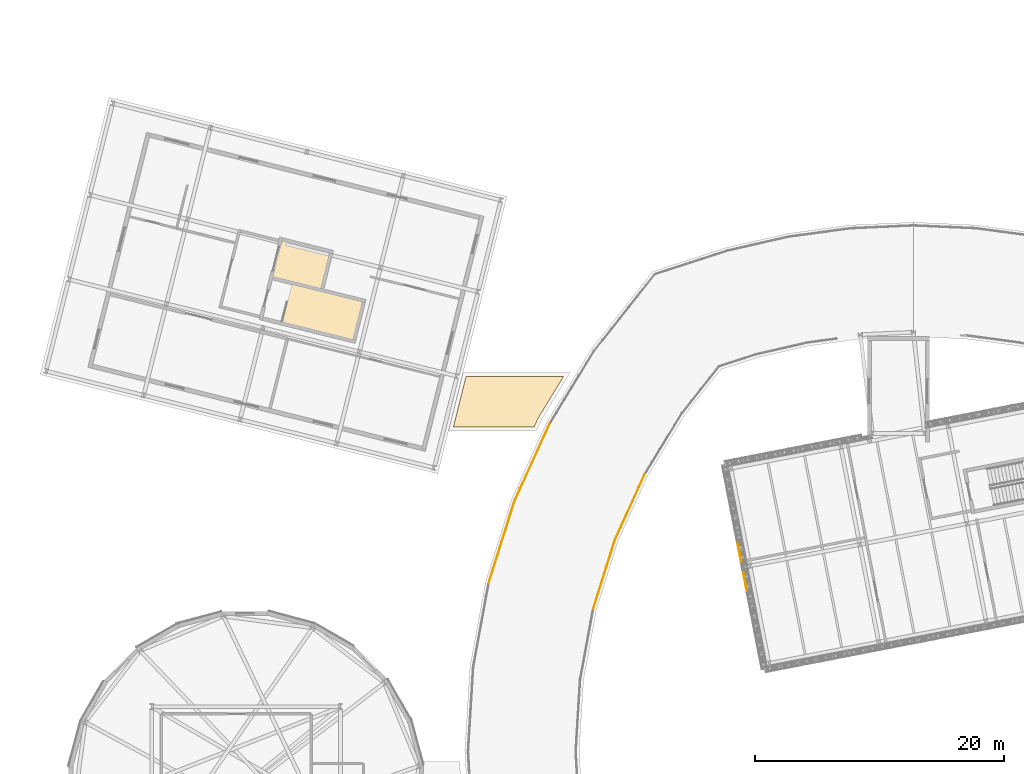
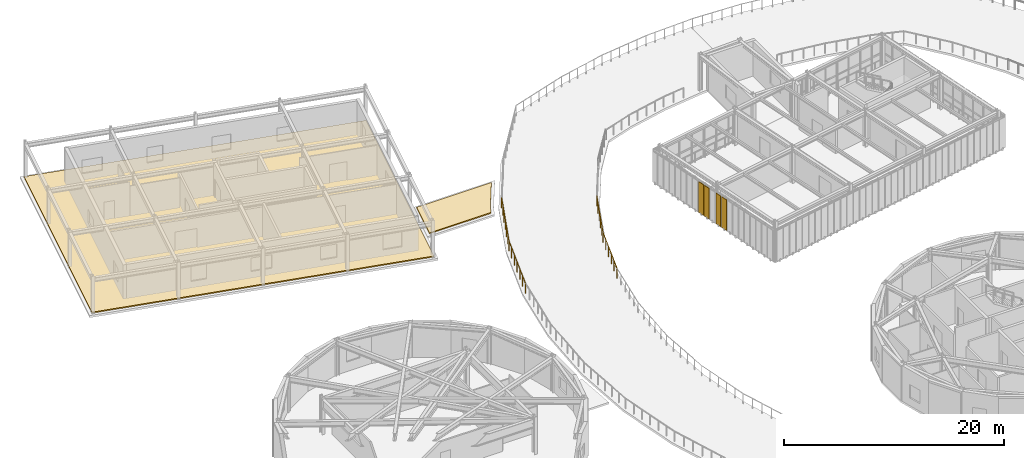
# One storey, part 54 of 59: 4 railings, 4 shading devices, 2 coverings.
"""IFC4 building model written with IfcOpenShell, lengths in metres."""

from ifc_helpers import new_model, si_unit, direction, frame, origin, origin_2d, place, context, subcontext, project, spatial, polyline, rectangle, circle, outline, extrude, material, layer, layer_set, type_object, element, save


model = new_model("IFC4")

# Units and contexts
model_context = context("Model", 3, precision=1e-05, world=origin(), true_north=direction((0.0, 1.0)))
body_context = subcontext(model_context, "Body", "Model", "MODEL_VIEW")
ifc_project = project(units=[si_unit("LENGTHUNIT", "METRE"), si_unit("AREAUNIT", "SQUARE_METRE"), si_unit("VOLUMEUNIT", "CUBIC_METRE"), si_unit("PLANEANGLEUNIT", "RADIAN"), si_unit("MASSUNIT", "GRAM", prefix="KILO")], contexts=[model_context])

# Site, building, storey
site_placement = place(None, origin())
site = spatial("IfcSite", under=ifc_project, at=site_placement, CompositionType="ELEMENT")
building_placement = place(site_placement, origin())
building = spatial("IfcBuilding", under=site, at=building_placement, Name="Varnklinge Art Gallery", CompositionType="ELEMENT")
storey_placement = place(building_placement, frame((0.0, 0.0, 9.52001953125)))
storey = spatial("IfcBuildingStorey", under=building, at=storey_placement, Name="L02", CompositionType="ELEMENT", Elevation=9.52001953125)

# Railings
ifc_material_1 = material(Name="Steel S355", Category="steel")
railing_type = type_object("IfcRailingType", Name="GR-EXT", PredefinedType="GUARDRAIL", material=ifc_material_1)
railing_1_placement = place(storey_placement, frame((46.218994140625, 81.365478515625, 0.0)))
element("IfcRailing", 1, at=railing_1_placement, inside=storey, type_object=railing_type, Name="L02 Roof Sculpture Garden Guardrail O23.1", PredefinedType="GUARDRAIL", context=body_context, shape_type="SweptSolid", body=[
    extrude(circle(Radius=0.02392578125, at=origin_2d()), frame((0.0, 0.0, 1.1259765625), z_axis=(-0.413395061382, -0.910551768558, 0.0), x_axis=(0.910551768558, -0.413395061382, 0.0)), (0.0, 0.0, 1.0), 6.85546875),
    extrude(circle(Radius=0.02099609375, at=origin_2d()), origin(), (0.0, 0.0, 1.0), 1.101806640625),
    extrude(circle(Radius=0.02099609375, at=origin_2d()), frame((-0.472412109375, -1.040283203125, 0.0)), (0.0, 0.0, 1.0), 1.101806640625),
    extrude(circle(Radius=0.02099609375, at=origin_2d()), frame((-0.944580078125, -2.080810546875, 0.0)), (0.0, 0.0, 1.0), 1.101806640625),
    extrude(circle(Radius=0.02099609375, at=origin_2d()), frame((-1.4169921875, -3.12109375, 0.0)), (0.0, 0.0, 1.0), 1.101806640625),
    extrude(circle(Radius=0.02099609375, at=origin_2d()), frame((-1.889404296875, -4.161376953125, 0.0)), (0.0, 0.0, 1.0), 1.101806640625),
    extrude(circle(Radius=0.02099609375, at=origin_2d()), frame((-2.361572265625, -5.201904296875, 0.0)), (0.0, 0.0, 1.0), 1.101806640625),
    extrude(circle(Radius=0.02099609375, at=origin_2d()), frame((-2.833984375, -6.2421875, 0.0)), (0.0, 0.0, 1.0), 1.101806640625),
])
railing_2_placement = place(storey_placement, frame((53.875244140625, 77.310302734375, 0.0)))
element("IfcRailing", 2, at=railing_2_placement, inside=storey, type_object=railing_type, Name="L02 Roof Sculpture Garden Guardrail I23.1", PredefinedType="GUARDRAIL", context=body_context, shape_type="SweptSolid", body=[
    extrude(circle(Radius=0.02392578125, at=origin_2d()), frame((0.0, 0.0, 1.1259765625), z_axis=(-0.413381162395, -0.91055807864, 0.0), x_axis=(0.91055807864, -0.413381162395, 0.0)), (0.0, 0.0, 1.0), 5.80078125),
    extrude(circle(Radius=0.02099609375, at=origin_2d()), origin(), (0.0, 0.0, 1.0), 1.101806640625),
    extrude(circle(Radius=0.02099609375, at=origin_2d()), frame((-0.4794921875, -1.056396484375, 0.0)), (0.0, 0.0, 1.0), 1.101806640625),
    extrude(circle(Radius=0.02099609375, at=origin_2d()), frame((-0.959228515625, -2.11279296875, 0.0)), (0.0, 0.0, 1.0), 1.101806640625),
    extrude(circle(Radius=0.02099609375, at=origin_2d()), frame((-1.438720703125, -3.169189453125, 0.0)), (0.0, 0.0, 1.0), 1.101806640625),
    extrude(circle(Radius=0.02099609375, at=origin_2d()), frame((-1.91845703125, -4.2255859375, 0.0)), (0.0, 0.0, 1.0), 1.101806640625),
    extrude(circle(Radius=0.02099609375, at=origin_2d()), frame((-2.39794921875, -5.281982421875, 0.0)), (0.0, 0.0, 1.0), 1.101806640625),
])
railing_3_placement = place(storey_placement, frame((43.385009765625, 75.123291015625, 0.0)))
element("IfcRailing", 3, at=railing_3_placement, inside=storey, type_object=railing_type, Name="L02 Roof Sculpture Garden Guardrail O24.1", PredefinedType="GUARDRAIL", context=body_context, shape_type="SweptSolid", body=[
    extrude(circle(Radius=0.02392578125, at=origin_2d()), frame((0.0, 0.0, 1.1259765625), z_axis=(-0.299769178691, -0.954011760675, 0.0), x_axis=(0.954011760675, -0.299769178691, 0.0)), (0.0, 0.0, 1.0), 6.85498046875),
    extrude(circle(Radius=0.02099609375, at=origin_2d()), origin(), (0.0, 0.0, 1.0), 1.101806640625),
    extrude(circle(Radius=0.02099609375, at=origin_2d()), frame((-0.342529296875, -1.08984375, 0.0)), (0.0, 0.0, 1.0), 1.101806640625),
    extrude(circle(Radius=0.02099609375, at=origin_2d()), frame((-0.68505859375, -2.179931640625, 0.0)), (0.0, 0.0, 1.0), 1.101806640625),
    extrude(circle(Radius=0.02099609375, at=origin_2d()), frame((-1.02734375, -3.27001953125, 0.0)), (0.0, 0.0, 1.0), 1.101806640625),
    extrude(circle(Radius=0.02099609375, at=origin_2d()), frame((-1.369873046875, -4.35986328125, 0.0)), (0.0, 0.0, 1.0), 1.101806640625),
    extrude(circle(Radius=0.02099609375, at=origin_2d()), frame((-1.71240234375, -5.44970703125, 0.0)), (0.0, 0.0, 1.0), 1.101806640625),
    extrude(circle(Radius=0.02099609375, at=origin_2d()), frame((-2.054931640625, -6.539794921875, 0.0)), (0.0, 0.0, 1.0), 1.101806640625),
])
railing_4_placement = place(storey_placement, frame((51.477294921875, 72.0283203125, 0.0)))
element("IfcRailing", 4, at=railing_4_placement, inside=storey, type_object=railing_type, Name="L02 Roof Sculpture Garden Guardrail I24.1", PredefinedType="GUARDRAIL", context=body_context, shape_type="SweptSolid", body=[
    extrude(circle(Radius=0.02392578125, at=origin_2d()), frame((0.0, 0.0, 1.1259765625), z_axis=(-0.299753269559, -0.954016759491, 0.0), x_axis=(0.954016759491, -0.299753269559, 0.0)), (0.0, 0.0, 1.0), 5.80078125),
    extrude(circle(Radius=0.02099609375, at=origin_2d()), origin(), (0.0, 0.0, 1.0), 1.101806640625),
    extrude(circle(Radius=0.02099609375, at=origin_2d()), frame((-0.34765625, -1.106689453125, 0.0)), (0.0, 0.0, 1.0), 1.101806640625),
    extrude(circle(Radius=0.02099609375, at=origin_2d()), frame((-0.695556640625, -2.213623046875, 0.0)), (0.0, 0.0, 1.0), 1.101806640625),
    extrude(circle(Radius=0.02099609375, at=origin_2d()), frame((-1.043212890625, -3.3203125, 0.0)), (0.0, 0.0, 1.0), 1.101806640625),
    extrude(circle(Radius=0.02099609375, at=origin_2d()), frame((-1.39111328125, -4.42724609375, 0.0)), (0.0, 0.0, 1.0), 1.101806640625),
    extrude(circle(Radius=0.02099609375, at=origin_2d()), frame((-1.73876953125, -5.533935546875, 0.0)), (0.0, 0.0, 1.0), 1.101806640625),
])

# Coverings
ifc_material_2 = material(Name="EPDM & Intensive Green Roof Build-up", Category="membrane")
ifc_layer_1 = layer(ifc_material_2, 0.1201171875)
ifc_layer_set_1 = layer_set([ifc_layer_1], Name="EPDM & Intensive Green Roof Build-up")
covering_type = type_object("IfcCoveringType", Name="RFG-GRN", PredefinedType="ROOFING", material=ifc_layer_set_1)
covering_1_placement = place(storey_placement, origin())
element("IfcCovering", 5, at=covering_1_placement, inside=storey, type_object=covering_type, Name="L02 Roof Covering 02", PredefinedType="ROOFING", context=body_context, shape_type="SweptSolid", body=[
    extrude(outline(polyline([(5.57177734375, 85.5517578125), (37.00927734375, 77.713623046875), (42.42822265625, 99.4482421875), (10.99072265625, 107.286376953125), (5.57177734375, 85.5517578125)])), origin(), (0.0, 0.0, 1.0), 0.119873046875),
])
covering_2_placement = place(storey_placement, origin())
element("IfcCovering", 6, at=covering_2_placement, inside=storey, type_object=covering_type, Name="L02 Roof Covering 12", PredefinedType="ROOFING", context=body_context, shape_type="SweptSolid", body=[
    extrude(outline(polyline([(45.29150390625, 81.8046875), (45.299560546875, 81.821044921875), (45.3251953125, 81.869384765625), (45.334228515625, 81.885498046875), (47.357177734375, 85.199951171875), (39.494140625, 85.199951171875), (38.471923828125, 81.10009765625), (44.9716796875, 81.10009765625), (45.29150390625, 81.8046875)])), origin(), (0.0, 0.0, 1.0), 0.119873046875),
])

# Shading devices
ifc_material_3 = material(Name="Perforated Aluminium-Precast Lattice", Category="concrete")
ifc_layer_2 = layer(ifc_material_3, 0.06005859375)
ifc_layer_set_2 = layer_set([ifc_layer_2], Name="Perforated Aluminium-Precast Lattice")
shading_device_type = type_object("IfcShadingDeviceType", Name="SHD-LAT", PredefinedType="USERDEFINED", material=ifc_layer_set_2)
for number, where, z_axis, x_axis, name in (
    (7, (61.43212890625, 71.3955078125, 0.10009765625), (0.0, 0.0, 1.0), (0.190808995377, -0.981627183448, 0.0), "L02 Perforated Lattice Screen 4.2.2"),
    (8, (61.5849609375, 70.610107421875, 0.10009765625), (0.0, 0.0, 1.0), (0.190808995377, -0.981627183448, 0.0), "L02 Perforated Lattice Screen 4.2.3"),
    (9, (61.89013671875, 69.03955078125, 0.10009765625), (0.0, 0.0, 1.0), (0.190808995377, -0.981627183448, 0.0), "L02 Perforated Lattice Screen 4.2.5"),
    (10, (62.042724609375, 68.25439453125, 0.10009765625), (0.0, 0.0, 1.0), (0.190808995377, -0.981627183448, 0.0), "L02 Perforated Lattice Screen 4.2.6"),
):
    element("IfcShadingDevice", number, at=place(storey_placement, frame(where, z_axis=z_axis, x_axis=x_axis)), inside=storey, type_object=shading_device_type, Name=name, ObjectType="LATTICE SCREEN", PredefinedType="USERDEFINED", context=body_context, shape_type="SweptSolid", body=[
        extrude(rectangle(XDim=0.679931640625, YDim=0.06005859375, at=origin_2d()), origin(), (0.0, 0.0, 1.0), 3.409912109375),
    ])

save(model, "model.ifc")
